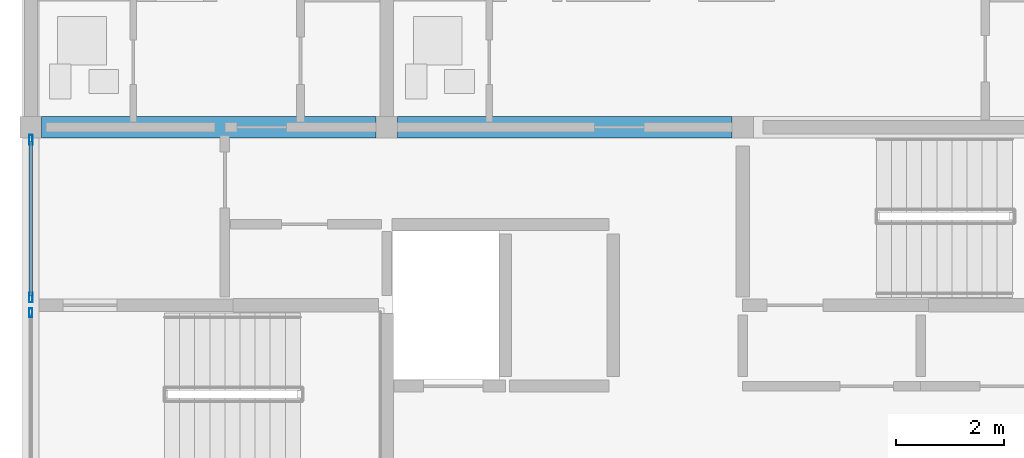
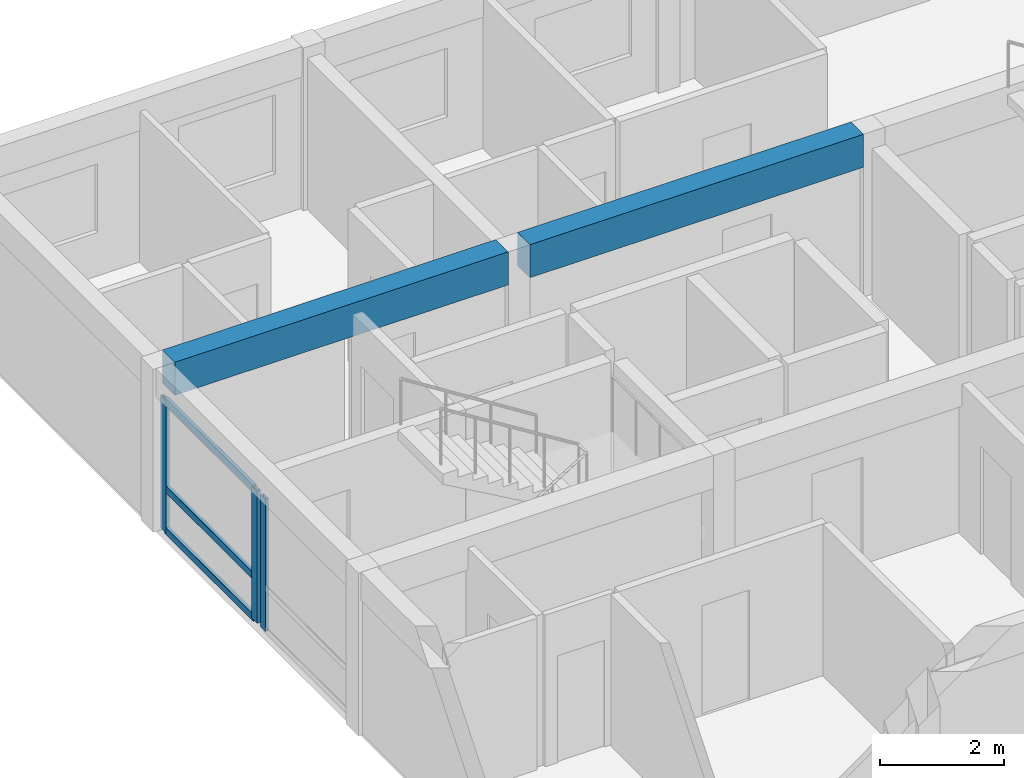
# One storey, part 4 of 15: 6 members, 2 beams, 2 elements without a shape of their own.
"""IFC4 building model written with IfcOpenShell, lengths in metres."""

from ifc_helpers import new_model, si_unit, direction, frame, origin, origin_2d, place, context, subcontext, project, spatial, rectangle, hollow_rectangle, extrude, material, material_profile, profile_set, type_object, element, aggregate, save


model = new_model("IFC4")

# Units and contexts
model_context = context("Model", 3, precision=1e-05, world=origin(), true_north=direction((0.0, 1.0)))
body_context = subcontext(model_context, "Body", "Model", "MODEL_VIEW")
ifc_project = project(units=[si_unit("LENGTHUNIT", "METRE"), si_unit("AREAUNIT", "SQUARE_METRE"), si_unit("VOLUMEUNIT", "CUBIC_METRE"), si_unit("PLANEANGLEUNIT", "RADIAN"), si_unit("MASSUNIT", "GRAM", prefix="KILO")], contexts=[model_context])

# Site, building, storey
site_placement = place(None, origin())
site = spatial("IfcSite", under=ifc_project, at=site_placement, CompositionType="ELEMENT")
building_placement = place(site_placement, origin())
building = spatial("IfcBuilding", under=site, at=building_placement, Name="Kernevlak Ridge Housing Community", CompositionType="ELEMENT")
storey_placement = place(building_placement, frame((0.0, 0.0, 50.0)))
storey = spatial("IfcBuildingStorey", under=building, at=storey_placement, Name="L15", CompositionType="ELEMENT", Elevation=50.0)

# Beams
ifc_material_1 = material(Name="Concrete C35/45", Category="concrete")
ifc_material_profile_1 = material_profile(ifc_material_1, rectangle(XDim=0.39990234375, YDim=0.64990234375, at=origin_2d()), Name="RC 400x650")
ifc_profile_set_1 = profile_set([ifc_material_profile_1], Name="Concrete C35/45")
beam_type = type_object("IfcBeamType", Name="B-03", PredefinedType="T_BEAM", material=ifc_profile_set_1)
beam_1_placement = place(storey_placement, frame((15.800048828125, 89.199951171875, 2.875), z_axis=(1.0, 0.0, 0.0), x_axis=(0.0, 1.0, 0.0)))
element("IfcBeam", 1, at=beam_1_placement, inside=storey, type_object=beam_type, Name="Beam B-03 L15 457", PredefinedType="T_BEAM", context=body_context, shape_type="SweptSolid", body=[
    extrude(rectangle(XDim=0.39990234375, YDim=0.64990234375, at=origin_2d()), origin(), (0.0, 0.0, 1.0), 6.199951171875),
])
beam_2_placement = place(storey_placement, frame((22.39990234375, 89.199951171875, 2.875), z_axis=(1.0, 0.0, 0.0), x_axis=(0.0, 1.0, 0.0)))
element("IfcBeam", 2, at=beam_2_placement, inside=storey, type_object=beam_type, Name="Beam B-03 L15 458", PredefinedType="T_BEAM", context=body_context, shape_type="SweptSolid", body=[
    extrude(rectangle(XDim=0.39990234375, YDim=0.64990234375, at=origin_2d()), origin(), (0.0, 0.0, 1.0), 6.2001953125),
])

# Curtain wall, member
ifc_material_2 = material(Name="Aluminium EN AW-6060 anodised and laminated glass", Category="aluminium")
curtain_wall_type_1 = type_object("IfcCurtainWallType", Name="CW-01", PredefinedType="NOTDEFINED", material=ifc_material_2)
curtain_wall_1_placement = place(storey_placement, origin())
curtain_wall_1 = element("IfcCurtainWall", 3, at=curtain_wall_1_placement, inside=storey, type_object=curtain_wall_type_1, Name="Curtain wall CW-01 CW-L15-046", PredefinedType="NOTDEFINED")
ifc_material_3 = material(Name="Aluminium EN AW-6060 anodised", Category="aluminium")
ifc_material_profile_2 = material_profile(ifc_material_3, hollow_rectangle(XDim=0.06005859375, YDim=0.159912109375, WallThickness=0.00390625, InnerFilletRadius=0.001953125, OuterFilletRadius=0.00390625, at=origin_2d()), Name="ALU 60x160x4")
ifc_profile_set_2 = profile_set([ifc_material_profile_2], Name="Aluminium EN AW-6060 anodised")
member_type_1 = type_object("IfcMemberType", Name="MU-02", PredefinedType="MULLION", material=ifc_profile_set_2)
member_1_placement = place(storey_placement, frame((15.60009765625, 85.760009765625, 0.0), z_axis=(0.0, 0.0, 1.0), x_axis=(-1.0, 0.0, 0.0)))
member_1 = element("IfcMember", 4, at=member_1_placement, type_object=member_type_1, Name="CW-01 mullion 2", PredefinedType="MULLION", context=body_context, shape_type="SweptSolid", body=[
    extrude(hollow_rectangle(XDim=0.06005859375, YDim=0.159912109375, WallThickness=0.00390625, InnerFilletRadius=0.001953125, OuterFilletRadius=0.00390625, at=origin_2d()), origin(), (0.0, 0.0, 1.0), 2.60009765625),
])
aggregate(curtain_wall_1, [member_1])

# Curtain wall, members
curtain_wall_type_2 = type_object("IfcCurtainWallType", Name="CW-07", PredefinedType="NOTDEFINED", material=ifc_material_2)
curtain_wall_2_placement = place(storey_placement, origin())
curtain_wall_2 = element("IfcCurtainWall", 5, at=curtain_wall_2_placement, inside=storey, type_object=curtain_wall_type_2, Name="Curtain wall CW-07 CW-L15-047", PredefinedType="NOTDEFINED")
ifc_material_profile_3 = material_profile(ifc_material_3, hollow_rectangle(XDim=0.06494140625, YDim=0.179931640625, WallThickness=0.00439453125, InnerFilletRadius=0.001953125, OuterFilletRadius=0.00439453125, at=origin_2d()), Name="ALU 65x180x4.5")
ifc_profile_set_3 = profile_set([ifc_material_profile_3], Name="Aluminium EN AW-6060 anodised")
member_type_2 = type_object("IfcMemberType", Name="MU-03", PredefinedType="MULLION", material=ifc_profile_set_3)
member_2_placement = place(storey_placement, frame((15.60009765625, 86.04248046875, 0.0), z_axis=(0.0, 0.0, 1.0), x_axis=(-1.0, 0.0, 0.0)))
member_2 = element("IfcMember", 6, at=member_2_placement, type_object=member_type_2, Name="CW-07 mullion 1", PredefinedType="MULLION", context=body_context, shape_type="SweptSolid", body=[
    extrude(hollow_rectangle(XDim=0.06494140625, YDim=0.179931640625, WallThickness=0.00439453125, InnerFilletRadius=0.001953125, OuterFilletRadius=0.00439453125, at=origin_2d()), origin(), (0.0, 0.0, 1.0), 2.60009765625),
])
member_3_placement = place(storey_placement, frame((15.60009765625, 88.967529296875, 0.0), z_axis=(0.0, 0.0, 1.0), x_axis=(-1.0, 0.0, 0.0)))
member_3 = element("IfcMember", 7, at=member_3_placement, type_object=member_type_2, Name="CW-07 mullion 2", PredefinedType="MULLION", context=body_context, shape_type="SweptSolid", body=[
    extrude(hollow_rectangle(XDim=0.06494140625, YDim=0.179931640625, WallThickness=0.00439453125, InnerFilletRadius=0.001953125, OuterFilletRadius=0.00439453125, at=origin_2d()), origin(), (0.0, 0.0, 1.0), 2.60009765625),
])
ifc_material_profile_4 = material_profile(ifc_material_3, hollow_rectangle(XDim=0.06494140625, YDim=0.139892578125, WallThickness=0.00390625, InnerFilletRadius=0.001953125, OuterFilletRadius=0.00390625, at=origin_2d()), Name="ALU 65x140x4")
ifc_profile_set_4 = profile_set([ifc_material_profile_4], Name="Aluminium EN AW-6060 anodised")
member_type_3 = type_object("IfcMemberType", Name="TM-03", PredefinedType="USERDEFINED", material=ifc_profile_set_4)
member_4_placement = place(storey_placement, frame((15.60009765625, 86.074951171875, 0.032470703125), z_axis=(0.0, 1.0, 0.0), x_axis=(-1.0, 0.0, 0.0)))
member_4 = element("IfcMember", 8, at=member_4_placement, type_object=member_type_3, Name="CW-07 transom 1.1", ObjectType="TRANSOM", PredefinedType="USERDEFINED", context=body_context, shape_type="SweptSolid", body=[
    extrude(hollow_rectangle(XDim=0.06494140625, YDim=0.139892578125, WallThickness=0.00390625, InnerFilletRadius=0.001953125, OuterFilletRadius=0.00390625, at=origin_2d()), origin(), (0.0, 0.0, 1.0), 2.860107421875),
])
member_5_placement = place(storey_placement, frame((15.60009765625, 86.074951171875, 0.85009765625), z_axis=(0.0, 1.0, 0.0), x_axis=(-1.0, 0.0, 0.0)))
member_5 = element("IfcMember", 9, at=member_5_placement, type_object=member_type_3, Name="CW-07 transom 1.2", ObjectType="TRANSOM", PredefinedType="USERDEFINED", context=body_context, shape_type="SweptSolid", body=[
    extrude(hollow_rectangle(XDim=0.06494140625, YDim=0.139892578125, WallThickness=0.00390625, InnerFilletRadius=0.001953125, OuterFilletRadius=0.00390625, at=origin_2d()), origin(), (0.0, 0.0, 1.0), 2.860107421875),
])
member_6_placement = place(storey_placement, frame((15.60009765625, 86.074951171875, 2.5673828125), z_axis=(0.0, 1.0, 0.0), x_axis=(-1.0, 0.0, 0.0)))
member_6 = element("IfcMember", 10, at=member_6_placement, type_object=member_type_3, Name="CW-07 transom 1.3", ObjectType="TRANSOM", PredefinedType="USERDEFINED", context=body_context, shape_type="SweptSolid", body=[
    extrude(hollow_rectangle(XDim=0.06494140625, YDim=0.139892578125, WallThickness=0.00390625, InnerFilletRadius=0.001953125, OuterFilletRadius=0.00390625, at=origin_2d()), origin(), (0.0, 0.0, 1.0), 2.860107421875),
])
aggregate(curtain_wall_2, [member_2, member_3, member_4, member_5, member_6])

save(model, "model.ifc")
